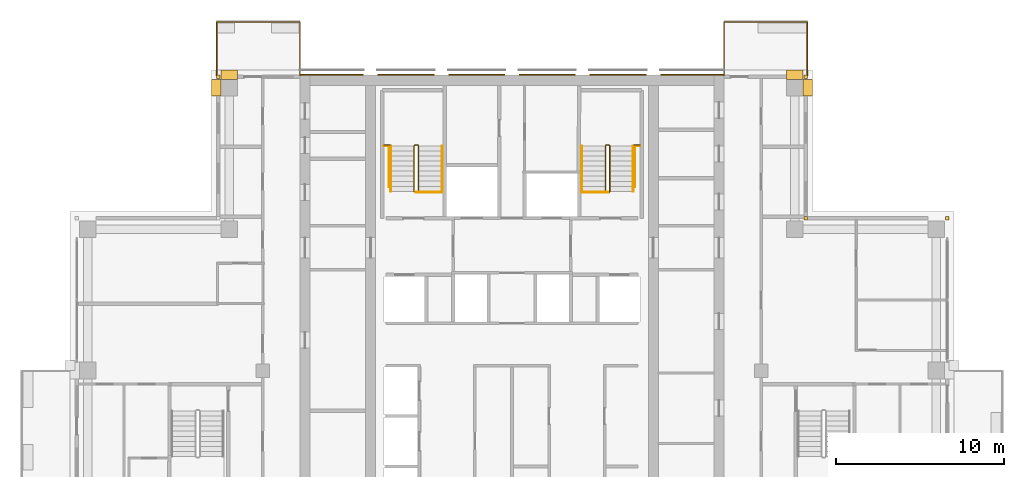
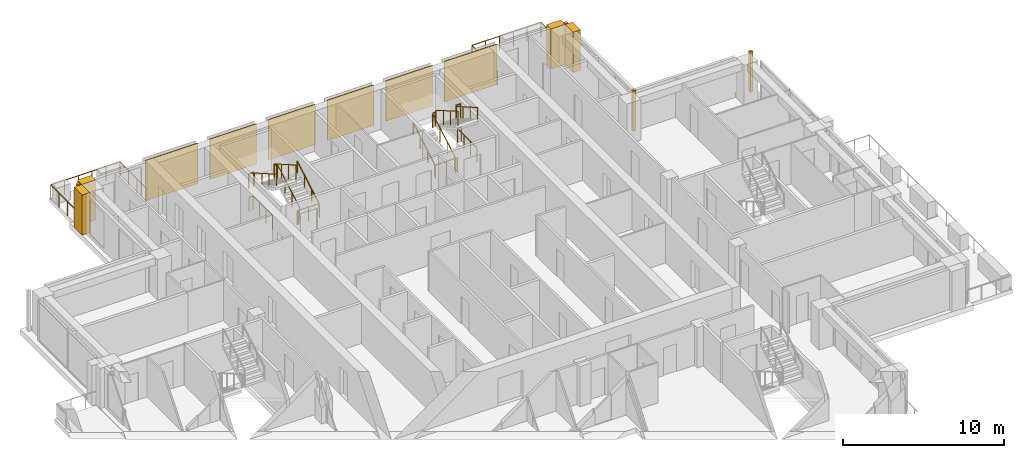
# One storey, part 17 of 17: 14 coverings, 14 railings.
"""IFC4 building model written with IfcOpenShell, lengths in metres."""

from ifc_helpers import new_model, si_unit, direction, frame, origin, origin_2d, place, context, subcontext, project, spatial, polyline, rectangle, outline, extrude, material, type_object, element, save


model = new_model("IFC4")

# Units and contexts
model_context = context("Model", 3, precision=1e-05, world=origin(), true_north=direction((0.0, 1.0)))
body_context = subcontext(model_context, "Body", "Model", "MODEL_VIEW")
ifc_project = project(units=[si_unit("LENGTHUNIT", "METRE"), si_unit("AREAUNIT", "SQUARE_METRE"), si_unit("VOLUMEUNIT", "CUBIC_METRE"), si_unit("PLANEANGLEUNIT", "RADIAN"), si_unit("MASSUNIT", "GRAM", prefix="KILO")], contexts=[model_context])

# Site, building, storey
site_placement = place(None, origin())
site = spatial("IfcSite", under=ifc_project, at=site_placement, CompositionType="ELEMENT")
building_placement = place(site_placement, origin())
building = spatial("IfcBuilding", under=site, at=building_placement, Name="Vermilion Ogive Tower", CompositionType="ELEMENT")
storey_placement = place(building_placement, frame((0.0, 0.0, 203.14990234375)))
storey = spatial("IfcBuildingStorey", under=building, at=storey_placement, Name="L53", CompositionType="ELEMENT", Elevation=203.14990234375)

# Railings
ifc_material_1 = material(Name="Stainless steel and glass", Category="steel")
railing_type_1 = type_object("IfcRailingType", Name="Balcony guard", PredefinedType="GUARDRAIL", material=ifc_material_1)
railing_1_placement = place(storey_placement, frame((17.550048828125, 21.75, -0.039794921875)))
element("IfcRailing", 1, at=railing_1_placement, inside=storey, type_object=railing_type_1, Name="Guard N101", PredefinedType="GUARDRAIL", context=body_context, shape_type="SweptSolid", body=[
    extrude(rectangle(XDim=0.048095703125, YDim=0.048095703125, at=origin_2d()), frame((0.0, 0.0, 1.076171875), z_axis=(0.0, 1.0, 0.0), x_axis=(-1.0, 0.0, 0.0)), (0.0, 0.0, 1.0), 3.159912109375),
    extrude(rectangle(XDim=0.048095703125, YDim=0.048095703125, at=origin_2d()), frame((0.0, 3.159912109375, 1.076171875), z_axis=(-1.0, 0.0, 0.0), x_axis=(0.0, -1.0, 0.0)), (0.0, 0.0, 1.0), 4.949951171875),
    extrude(rectangle(XDim=0.048095703125, YDim=0.048095703125, at=origin_2d()), frame((-4.949951171875, 3.159912109375, 1.076171875), z_axis=(0.0, -1.0, 0.0), x_axis=(1.0, 0.0, 0.0)), (0.0, 0.0, 1.0), 3.159912109375),
    extrude(rectangle(XDim=0.0419921875, YDim=0.0419921875, at=origin_2d()), origin(), (0.0, 0.0, 1.0), 1.052001953125),
    extrude(rectangle(XDim=0.0419921875, YDim=0.0419921875, at=origin_2d()), frame((0.0, 1.05322265625, 0.0)), (0.0, 0.0, 1.0), 1.052001953125),
    extrude(rectangle(XDim=0.0419921875, YDim=0.0419921875, at=origin_2d()), frame((0.0, 2.106689453125, 0.0)), (0.0, 0.0, 1.0), 1.052001953125),
    extrude(rectangle(XDim=0.0419921875, YDim=0.0419921875, at=origin_2d()), frame((0.0, 3.159912109375, 0.0)), (0.0, 0.0, 1.0), 1.052001953125),
    extrude(rectangle(XDim=0.0419921875, YDim=0.0419921875, at=origin_2d()), frame((-0.989990234375, 3.159912109375, 0.0)), (0.0, 0.0, 1.0), 1.052001953125),
    extrude(rectangle(XDim=0.0419921875, YDim=0.0419921875, at=origin_2d()), frame((-1.97998046875, 3.159912109375, 0.0)), (0.0, 0.0, 1.0), 1.052001953125),
    extrude(rectangle(XDim=0.0419921875, YDim=0.0419921875, at=origin_2d()), frame((-2.969970703125, 3.159912109375, 0.0)), (0.0, 0.0, 1.0), 1.052001953125),
    extrude(rectangle(XDim=0.0419921875, YDim=0.0419921875, at=origin_2d()), frame((-3.9599609375, 3.159912109375, 0.0)), (0.0, 0.0, 1.0), 1.052001953125),
    extrude(rectangle(XDim=0.0419921875, YDim=0.0419921875, at=origin_2d()), frame((-4.949951171875, 3.159912109375, 0.0)), (0.0, 0.0, 1.0), 1.052001953125),
    extrude(rectangle(XDim=0.0419921875, YDim=0.0419921875, at=origin_2d()), frame((-4.949951171875, 2.106689453125, 0.0)), (0.0, 0.0, 1.0), 1.052001953125),
    extrude(rectangle(XDim=0.0419921875, YDim=0.0419921875, at=origin_2d()), frame((-4.949951171875, 1.05322265625, 0.0)), (0.0, 0.0, 1.0), 1.052001953125),
    extrude(rectangle(XDim=0.0419921875, YDim=0.0419921875, at=origin_2d()), frame((-4.949951171875, 0.0, 0.0)), (0.0, 0.0, 1.0), 1.052001953125),
])
railing_2_placement = place(storey_placement, frame((-12.60009765625, 21.75, -0.039794921875)))
element("IfcRailing", 2, at=railing_2_placement, inside=storey, type_object=railing_type_1, Name="Guard N201", PredefinedType="GUARDRAIL", context=body_context, shape_type="SweptSolid", body=[
    extrude(rectangle(XDim=0.048095703125, YDim=0.048095703125, at=origin_2d()), frame((0.0, 0.0, 1.076171875), z_axis=(0.0, 1.0, 0.0), x_axis=(-1.0, 0.0, 0.0)), (0.0, 0.0, 1.0), 3.159912109375),
    extrude(rectangle(XDim=0.048095703125, YDim=0.048095703125, at=origin_2d()), frame((0.0, 3.159912109375, 1.076171875), z_axis=(-1.0, 0.0, 0.0), x_axis=(0.0, -1.0, 0.0)), (0.0, 0.0, 1.0), 4.949951171875),
    extrude(rectangle(XDim=0.048095703125, YDim=0.048095703125, at=origin_2d()), frame((-4.949951171875, 3.159912109375, 1.076171875), z_axis=(0.0, -1.0, 0.0), x_axis=(1.0, 0.0, 0.0)), (0.0, 0.0, 1.0), 3.159912109375),
    extrude(rectangle(XDim=0.0419921875, YDim=0.0419921875, at=origin_2d()), origin(), (0.0, 0.0, 1.0), 1.052001953125),
    extrude(rectangle(XDim=0.0419921875, YDim=0.0419921875, at=origin_2d()), frame((0.0, 1.05322265625, 0.0)), (0.0, 0.0, 1.0), 1.052001953125),
    extrude(rectangle(XDim=0.0419921875, YDim=0.0419921875, at=origin_2d()), frame((0.0, 2.106689453125, 0.0)), (0.0, 0.0, 1.0), 1.052001953125),
    extrude(rectangle(XDim=0.0419921875, YDim=0.0419921875, at=origin_2d()), frame((0.0, 3.159912109375, 0.0)), (0.0, 0.0, 1.0), 1.052001953125),
    extrude(rectangle(XDim=0.0419921875, YDim=0.0419921875, at=origin_2d()), frame((-0.989990234375, 3.159912109375, 0.0)), (0.0, 0.0, 1.0), 1.052001953125),
    extrude(rectangle(XDim=0.0419921875, YDim=0.0419921875, at=origin_2d()), frame((-1.97998046875, 3.159912109375, 0.0)), (0.0, 0.0, 1.0), 1.052001953125),
    extrude(rectangle(XDim=0.0419921875, YDim=0.0419921875, at=origin_2d()), frame((-2.969970703125, 3.159912109375, 0.0)), (0.0, 0.0, 1.0), 1.052001953125),
    extrude(rectangle(XDim=0.0419921875, YDim=0.0419921875, at=origin_2d()), frame((-3.9599609375, 3.159912109375, 0.0)), (0.0, 0.0, 1.0), 1.052001953125),
    extrude(rectangle(XDim=0.0419921875, YDim=0.0419921875, at=origin_2d()), frame((-4.949951171875, 3.159912109375, 0.0)), (0.0, 0.0, 1.0), 1.052001953125),
    extrude(rectangle(XDim=0.0419921875, YDim=0.0419921875, at=origin_2d()), frame((-4.949951171875, 2.106689453125, 0.0)), (0.0, 0.0, 1.0), 1.052001953125),
    extrude(rectangle(XDim=0.0419921875, YDim=0.0419921875, at=origin_2d()), frame((-4.949951171875, 1.05322265625, 0.0)), (0.0, 0.0, 1.0), 1.052001953125),
    extrude(rectangle(XDim=0.0419921875, YDim=0.0419921875, at=origin_2d()), frame((-4.949951171875, 0.0, 0.0)), (0.0, 0.0, 1.0), 1.052001953125),
])
ifc_material_2 = material(Name="Steel S355 painted", Category="steel")
railing_type_2 = type_object("IfcRailingType", Name="Stair guard 1100", PredefinedType="GUARDRAIL", material=ifc_material_2)
railing_3_placement = place(storey_placement, frame((-5.75, 14.800048828125, 0.0)))
element("IfcRailing", 3, at=railing_3_placement, inside=storey, type_object=railing_type_2, Name="L53 ST1 stair guard 4", PredefinedType="GUARDRAIL", context=body_context, shape_type="SweptSolid", body=[
    extrude(rectangle(XDim=0.048095703125, YDim=0.048095703125, at=origin_2d()), frame((0.0, 0.0, 1.076171875), z_axis=(1.0, 0.0, 0.0), x_axis=(0.0, 1.0, 0.0)), (0.0, 0.0, 1.0), 0.14990234375),
    extrude(rectangle(XDim=0.048095703125, YDim=0.048095703125, at=origin_2d()), frame((0.14990234375, 0.0, 1.076171875), z_axis=(0.268277960024, 0.268277960024, 0.925231793839), x_axis=(-0.707106781187, 0.707106781187, 0.0)), (0.0, 0.0, 1.0), 0.1865234375),
    extrude(rectangle(XDim=0.048095703125, YDim=0.048095703125, at=origin_2d()), frame((0.199951171875, 0.050048828125, 1.24853515625), z_axis=(0.0, 0.866903762492, 0.498475542607), x_axis=(-1.0, 0.0, 0.0)), (0.0, 0.0, 1.0), 3.114501953125),
    extrude(rectangle(XDim=0.048095703125, YDim=0.048095703125, at=origin_2d()), frame((0.199951171875, 2.75, 2.80126953125), z_axis=(-0.707106781187, 0.707106781187, 0.0), x_axis=(-0.707106781187, -0.707106781187, 0.0)), (0.0, 0.0, 1.0), 0.07080078125),
    extrude(rectangle(XDim=0.048095703125, YDim=0.048095703125, at=origin_2d()), frame((0.14990234375, 2.800048828125, 2.80126953125), z_axis=(-1.0, 0.0, 0.0), x_axis=(0.0, -1.0, 0.0)), (0.0, 0.0, 1.0), 0.14990234375),
    extrude(rectangle(XDim=0.048095703125, YDim=0.048095703125, at=origin_2d()), frame((0.0, 2.800048828125, 2.80126953125), z_axis=(-0.268277960024, -0.268277960024, 0.925231793839), x_axis=(0.707106781187, -0.707106781187, 0.0)), (0.0, 0.0, 1.0), 0.1865234375),
    extrude(rectangle(XDim=0.048095703125, YDim=0.048095703125, at=origin_2d()), frame((-0.050048828125, 2.75, 2.9736328125), z_axis=(0.0, -0.866903762492, 0.498475542607), x_axis=(1.0, 0.0, 0.0)), (0.0, 0.0, 1.0), 3.114501953125),
    extrude(rectangle(XDim=0.0419921875, YDim=0.0419921875, at=origin_2d()), origin(), (0.0, 0.0, 1.0), 1.052001953125),
    extrude(rectangle(XDim=0.0419921875, YDim=0.0419921875, at=origin_2d()), frame((0.14990234375, 0.0, 0.0)), (0.0, 0.0, 1.0), 1.052001953125),
    extrude(rectangle(XDim=0.0419921875, YDim=0.0419921875, at=origin_2d()), frame((0.199951171875, 0.050048828125, 0.172607421875)), (0.0, 0.0, 1.0), 1.052001953125),
    extrude(rectangle(XDim=0.0419921875, YDim=0.0419921875, at=origin_2d()), frame((0.199951171875, 0.949951171875, 0.690185546875)), (0.0, 0.0, 1.0), 1.052001953125),
    extrude(rectangle(XDim=0.0419921875, YDim=0.0419921875, at=origin_2d()), frame((0.199951171875, 1.85009765625, 1.20751953125)), (0.0, 0.0, 1.0), 1.052001953125),
    extrude(rectangle(XDim=0.0419921875, YDim=0.0419921875, at=origin_2d()), frame((0.199951171875, 2.75, 1.72509765625)), (0.0, 0.0, 1.0), 1.052001953125),
    extrude(rectangle(XDim=0.0419921875, YDim=0.0419921875, at=origin_2d()), frame((0.14990234375, 2.800048828125, 1.72509765625)), (0.0, 0.0, 1.0), 1.052001953125),
    extrude(rectangle(XDim=0.0419921875, YDim=0.0419921875, at=origin_2d()), frame((0.0, 2.800048828125, 1.72509765625)), (0.0, 0.0, 1.0), 1.052001953125),
    extrude(rectangle(XDim=0.0419921875, YDim=0.0419921875, at=origin_2d()), frame((-0.050048828125, 2.75, 1.897705078125)), (0.0, 0.0, 1.0), 1.052001953125),
    extrude(rectangle(XDim=0.0419921875, YDim=0.0419921875, at=origin_2d()), frame((-0.050048828125, 1.85009765625, 2.415283203125)), (0.0, 0.0, 1.0), 1.052001953125),
    extrude(rectangle(XDim=0.0419921875, YDim=0.0419921875, at=origin_2d()), frame((-0.050048828125, 0.949951171875, 2.9326171875)), (0.0, 0.0, 1.0), 1.052001953125),
    extrude(rectangle(XDim=0.0419921875, YDim=0.0419921875, at=origin_2d()), frame((-0.050048828125, 0.050048828125, 3.4501953125)), (0.0, 0.0, 1.0), 1.052001953125),
])
railing_4_placement = place(storey_placement, frame((5.75, 14.800048828125, 0.0)))
element("IfcRailing", 4, at=railing_4_placement, inside=storey, type_object=railing_type_2, Name="L53 ST2 stair guard 4", PredefinedType="GUARDRAIL", context=body_context, shape_type="SweptSolid", body=[
    extrude(rectangle(XDim=0.048095703125, YDim=0.048095703125, at=origin_2d()), frame((0.0, 0.0, 1.076171875), z_axis=(-1.0, 0.0, 0.0), x_axis=(0.0, -1.0, 0.0)), (0.0, 0.0, 1.0), 0.14990234375),
    extrude(rectangle(XDim=0.048095703125, YDim=0.048095703125, at=origin_2d()), frame((-0.14990234375, 0.0, 1.076171875), z_axis=(-0.268277960024, 0.268277960024, 0.925231793839), x_axis=(-0.707106781187, -0.707106781187, 0.0)), (0.0, 0.0, 1.0), 0.1865234375),
    extrude(rectangle(XDim=0.048095703125, YDim=0.048095703125, at=origin_2d()), frame((-0.199951171875, 0.050048828125, 1.24853515625), z_axis=(0.0, 0.866903762492, 0.498475542607), x_axis=(-1.0, 0.0, 0.0)), (0.0, 0.0, 1.0), 3.114501953125),
    extrude(rectangle(XDim=0.048095703125, YDim=0.048095703125, at=origin_2d()), frame((-0.199951171875, 2.75, 2.80126953125), z_axis=(0.707106781187, 0.707106781187, 0.0), x_axis=(-0.707106781187, 0.707106781187, 0.0)), (0.0, 0.0, 1.0), 0.07080078125),
    extrude(rectangle(XDim=0.048095703125, YDim=0.048095703125, at=origin_2d()), frame((-0.14990234375, 2.800048828125, 2.80126953125), z_axis=(1.0, 0.0, 0.0), x_axis=(0.0, 1.0, 0.0)), (0.0, 0.0, 1.0), 0.14990234375),
    extrude(rectangle(XDim=0.048095703125, YDim=0.048095703125, at=origin_2d()), frame((0.0, 2.800048828125, 2.80126953125), z_axis=(0.268277960024, -0.268277960024, 0.925231793839), x_axis=(0.707106781187, 0.707106781187, 0.0)), (0.0, 0.0, 1.0), 0.1865234375),
    extrude(rectangle(XDim=0.048095703125, YDim=0.048095703125, at=origin_2d()), frame((0.050048828125, 2.75, 2.9736328125), z_axis=(0.0, -0.866903762492, 0.498475542607), x_axis=(1.0, 0.0, 0.0)), (0.0, 0.0, 1.0), 3.114501953125),
    extrude(rectangle(XDim=0.0419921875, YDim=0.0419921875, at=origin_2d()), origin(), (0.0, 0.0, 1.0), 1.052001953125),
    extrude(rectangle(XDim=0.0419921875, YDim=0.0419921875, at=origin_2d()), frame((-0.14990234375, 0.0, 0.0)), (0.0, 0.0, 1.0), 1.052001953125),
    extrude(rectangle(XDim=0.0419921875, YDim=0.0419921875, at=origin_2d()), frame((-0.199951171875, 0.050048828125, 0.172607421875)), (0.0, 0.0, 1.0), 1.052001953125),
    extrude(rectangle(XDim=0.0419921875, YDim=0.0419921875, at=origin_2d()), frame((-0.199951171875, 0.949951171875, 0.690185546875)), (0.0, 0.0, 1.0), 1.052001953125),
    extrude(rectangle(XDim=0.0419921875, YDim=0.0419921875, at=origin_2d()), frame((-0.199951171875, 1.85009765625, 1.20751953125)), (0.0, 0.0, 1.0), 1.052001953125),
    extrude(rectangle(XDim=0.0419921875, YDim=0.0419921875, at=origin_2d()), frame((-0.199951171875, 2.75, 1.72509765625)), (0.0, 0.0, 1.0), 1.052001953125),
    extrude(rectangle(XDim=0.0419921875, YDim=0.0419921875, at=origin_2d()), frame((-0.14990234375, 2.800048828125, 1.72509765625)), (0.0, 0.0, 1.0), 1.052001953125),
    extrude(rectangle(XDim=0.0419921875, YDim=0.0419921875, at=origin_2d()), frame((0.0, 2.800048828125, 1.72509765625)), (0.0, 0.0, 1.0), 1.052001953125),
    extrude(rectangle(XDim=0.0419921875, YDim=0.0419921875, at=origin_2d()), frame((0.050048828125, 2.75, 1.897705078125)), (0.0, 0.0, 1.0), 1.052001953125),
    extrude(rectangle(XDim=0.0419921875, YDim=0.0419921875, at=origin_2d()), frame((0.050048828125, 1.85009765625, 2.415283203125)), (0.0, 0.0, 1.0), 1.052001953125),
    extrude(rectangle(XDim=0.0419921875, YDim=0.0419921875, at=origin_2d()), frame((0.050048828125, 0.949951171875, 2.9326171875)), (0.0, 0.0, 1.0), 1.052001953125),
    extrude(rectangle(XDim=0.0419921875, YDim=0.0419921875, at=origin_2d()), frame((0.050048828125, 0.050048828125, 3.4501953125)), (0.0, 0.0, 1.0), 1.052001953125),
])
for number, where, name in (
    (5, (-7.60009765625, 17.60009765625, 1.72509765625), "L53 landing guard"),
    (6, (7.25, 17.60009765625, 1.72509765625), "L53 landing guard"),
):
    element("IfcRailing", number, at=place(storey_placement, frame(where)), inside=storey, type_object=railing_type_2, Name=name, PredefinedType="GUARDRAIL", context=body_context, shape_type="SweptSolid", body=[
        extrude(rectangle(XDim=0.048095703125, YDim=0.048095703125, at=origin_2d()), frame((0.0, 0.0, 1.076171875), z_axis=(1.0, 0.0, 0.0), x_axis=(0.0, 1.0, 0.0)), (0.0, 0.0, 1.0), 0.35009765625),
        extrude(rectangle(XDim=0.0419921875, YDim=0.0419921875, at=origin_2d()), origin(), (0.0, 0.0, 1.0), 1.052001953125),
        extrude(rectangle(XDim=0.0419921875, YDim=0.0419921875, at=origin_2d()), frame((0.35009765625, 0.0, 0.0)), (0.0, 0.0, 1.0), 1.052001953125),
    ])
railing_5_placement = place(storey_placement, frame((-4.159912109375, 14.7900390625, 0.0)))
element("IfcRailing", 7, at=railing_5_placement, inside=storey, type_object=railing_type_2, Name="L53 stair opening guard", PredefinedType="GUARDRAIL", context=body_context, shape_type="SweptSolid", body=[
    extrude(rectangle(XDim=0.048095703125, YDim=0.048095703125, at=origin_2d()), frame((0.0, 0.0, 1.076171875), z_axis=(-1.0, 0.0, 0.0), x_axis=(0.0, -1.0, 0.0)), (0.0, 0.0, 1.0), 1.5400390625),
    extrude(rectangle(XDim=0.0419921875, YDim=0.0419921875, at=origin_2d()), origin(), (0.0, 0.0, 1.0), 1.052001953125),
    extrude(rectangle(XDim=0.0419921875, YDim=0.0419921875, at=origin_2d()), frame((-0.77001953125, 0.0, 0.0)), (0.0, 0.0, 1.0), 1.052001953125),
    extrude(rectangle(XDim=0.0419921875, YDim=0.0419921875, at=origin_2d()), frame((-1.5400390625, 0.0, 0.0)), (0.0, 0.0, 1.0), 1.052001953125),
])
railing_6_placement = place(storey_placement, frame((-7.3095703125, 15.11865234375, 0.0)))
element("IfcRailing", 8, at=railing_6_placement, inside=storey, type_object=railing_type_2, Name="L53 stair opening guard", PredefinedType="GUARDRAIL", context=body_context, shape_type="SweptSolid", body=[
    extrude(rectangle(XDim=0.048095703125, YDim=0.048095703125, at=origin_2d()), frame((0.0, 0.0, 1.076171875), z_axis=(0.0, 1.0, 0.0), x_axis=(-1.0, 0.0, 0.0)), (0.0, 0.0, 1.0), 2.42431640625),
    extrude(rectangle(XDim=0.048095703125, YDim=0.048095703125, at=origin_2d()), frame((0.0, 2.42431640625, 1.076171875), z_axis=(-1.0, 0.0, 0.0), x_axis=(0.0, -1.0, 0.0)), (0.0, 0.0, 1.0), 0.2900390625),
    extrude(rectangle(XDim=0.0419921875, YDim=0.0419921875, at=origin_2d()), origin(), (0.0, 0.0, 1.0), 1.052001953125),
    extrude(rectangle(XDim=0.0419921875, YDim=0.0419921875, at=origin_2d()), frame((0.0, 0.80810546875, 0.0)), (0.0, 0.0, 1.0), 1.052001953125),
    extrude(rectangle(XDim=0.0419921875, YDim=0.0419921875, at=origin_2d()), frame((0.0, 1.6162109375, 0.0)), (0.0, 0.0, 1.0), 1.052001953125),
    extrude(rectangle(XDim=0.0419921875, YDim=0.0419921875, at=origin_2d()), frame((0.0, 2.42431640625, 0.0)), (0.0, 0.0, 1.0), 1.052001953125),
    extrude(rectangle(XDim=0.0419921875, YDim=0.0419921875, at=origin_2d()), frame((-0.2900390625, 2.42431640625, 0.0)), (0.0, 0.0, 1.0), 1.052001953125),
])
railing_7_placement = place(storey_placement, frame((7.599609375, 17.54296875, 0.0)))
element("IfcRailing", 9, at=railing_7_placement, inside=storey, type_object=railing_type_2, Name="L53 stair opening guard", PredefinedType="GUARDRAIL", context=body_context, shape_type="SweptSolid", body=[
    extrude(rectangle(XDim=0.048095703125, YDim=0.048095703125, at=origin_2d()), frame((0.0, 0.0, 1.076171875), z_axis=(-1.0, 0.0, 0.0), x_axis=(0.0, -1.0, 0.0)), (0.0, 0.0, 1.0), 0.2900390625),
    extrude(rectangle(XDim=0.048095703125, YDim=0.048095703125, at=origin_2d()), frame((-0.2900390625, 0.0, 1.076171875), z_axis=(0.0, -1.0, 0.0), x_axis=(1.0, 0.0, 0.0)), (0.0, 0.0, 1.0), 2.42431640625),
    extrude(rectangle(XDim=0.0419921875, YDim=0.0419921875, at=origin_2d()), origin(), (0.0, 0.0, 1.0), 1.052001953125),
    extrude(rectangle(XDim=0.0419921875, YDim=0.0419921875, at=origin_2d()), frame((-0.2900390625, 0.0, 0.0)), (0.0, 0.0, 1.0), 1.052001953125),
    extrude(rectangle(XDim=0.0419921875, YDim=0.0419921875, at=origin_2d()), frame((-0.2900390625, -0.80810546875, 0.0)), (0.0, 0.0, 1.0), 1.052001953125),
    extrude(rectangle(XDim=0.0419921875, YDim=0.0419921875, at=origin_2d()), frame((-0.2900390625, -1.6162109375, 0.0)), (0.0, 0.0, 1.0), 1.052001953125),
    extrude(rectangle(XDim=0.0419921875, YDim=0.0419921875, at=origin_2d()), frame((-0.2900390625, -2.42431640625, 0.0)), (0.0, 0.0, 1.0), 1.052001953125),
])
railing_8_placement = place(storey_placement, frame((5.699951171875, 14.7900390625, 0.0)))
element("IfcRailing", 10, at=railing_8_placement, inside=storey, type_object=railing_type_2, Name="L53 stair opening guard", PredefinedType="GUARDRAIL", context=body_context, shape_type="SweptSolid", body=[
    extrude(rectangle(XDim=0.048095703125, YDim=0.048095703125, at=origin_2d()), frame((0.0, 0.0, 1.076171875), z_axis=(-1.0, 0.0, 0.0), x_axis=(0.0, -1.0, 0.0)), (0.0, 0.0, 1.0), 1.5400390625),
    extrude(rectangle(XDim=0.0419921875, YDim=0.0419921875, at=origin_2d()), origin(), (0.0, 0.0, 1.0), 1.052001953125),
    extrude(rectangle(XDim=0.0419921875, YDim=0.0419921875, at=origin_2d()), frame((-0.77001953125, 0.0, 0.0)), (0.0, 0.0, 1.0), 1.052001953125),
    extrude(rectangle(XDim=0.0419921875, YDim=0.0419921875, at=origin_2d()), frame((-1.5400390625, 0.0, 0.0)), (0.0, 0.0, 1.0), 1.052001953125),
])
ifc_material_3 = material(Name="Stainless steel", Category="steel")
railing_type_3 = type_object("IfcRailingType", Name="Stair handrail 900", PredefinedType="HANDRAIL", material=ifc_material_3)
railing_9_placement = place(storey_placement, frame((-4.14990234375, 14.85009765625, 0.172607421875)))
element("IfcRailing", 11, at=railing_9_placement, inside=storey, type_object=railing_type_3, Name="L53 ST1 stair handrail 1", PredefinedType="HANDRAIL", context=body_context, shape_type="SweptSolid", body=[
    extrude(rectangle(XDim=0.048095703125, YDim=0.048095703125, at=origin_2d()), frame((0.0, 0.0, 0.8759765625), z_axis=(0.0, 0.866903762492, 0.498475542607), x_axis=(-1.0, 0.0, 0.0)), (0.0, 0.0, 1.0), 3.114501953125),
    extrude(rectangle(XDim=0.0419921875, YDim=0.0419921875, at=origin_2d()), origin(), (0.0, 0.0, 1.0), 0.851806640625),
    extrude(rectangle(XDim=0.0419921875, YDim=0.0419921875, at=origin_2d()), frame((0.0, 0.89990234375, 0.517578125)), (0.0, 0.0, 1.0), 0.851806640625),
    extrude(rectangle(XDim=0.0419921875, YDim=0.0419921875, at=origin_2d()), frame((0.0, 1.800048828125, 1.034912109375)), (0.0, 0.0, 1.0), 0.851806640625),
    extrude(rectangle(XDim=0.0419921875, YDim=0.0419921875, at=origin_2d()), frame((0.0, 2.699951171875, 1.552490234375)), (0.0, 0.0, 1.0), 0.851806640625),
])
railing_10_placement = place(storey_placement, frame((-7.199951171875, 17.550048828125, 1.897705078125)))
element("IfcRailing", 12, at=railing_10_placement, inside=storey, type_object=railing_type_3, Name="L53 ST1 stair handrail 2", PredefinedType="HANDRAIL", context=body_context, shape_type="SweptSolid", body=[
    extrude(rectangle(XDim=0.048095703125, YDim=0.048095703125, at=origin_2d()), frame((0.0, 0.0, 0.8759765625), z_axis=(0.0, -0.866903762492, 0.498475542607), x_axis=(1.0, 0.0, 0.0)), (0.0, 0.0, 1.0), 3.114501953125),
    extrude(rectangle(XDim=0.0419921875, YDim=0.0419921875, at=origin_2d()), origin(), (0.0, 0.0, 1.0), 0.851806640625),
    extrude(rectangle(XDim=0.0419921875, YDim=0.0419921875, at=origin_2d()), frame((0.0, -0.89990234375, 0.517578125)), (0.0, 0.0, 1.0), 0.851806640625),
    extrude(rectangle(XDim=0.0419921875, YDim=0.0419921875, at=origin_2d()), frame((0.0, -1.800048828125, 1.034912109375)), (0.0, 0.0, 1.0), 0.851806640625),
    extrude(rectangle(XDim=0.0419921875, YDim=0.0419921875, at=origin_2d()), frame((0.0, -2.699951171875, 1.552490234375)), (0.0, 0.0, 1.0), 0.851806640625),
])
railing_11_placement = place(storey_placement, frame((4.14990234375, 14.85009765625, 0.172607421875)))
element("IfcRailing", 13, at=railing_11_placement, inside=storey, type_object=railing_type_3, Name="L53 ST2 stair handrail 1", PredefinedType="HANDRAIL", context=body_context, shape_type="SweptSolid", body=[
    extrude(rectangle(XDim=0.048095703125, YDim=0.048095703125, at=origin_2d()), frame((0.0, 0.0, 0.8759765625), z_axis=(0.0, 0.866903762492, 0.498475542607), x_axis=(-1.0, 0.0, 0.0)), (0.0, 0.0, 1.0), 3.114501953125),
    extrude(rectangle(XDim=0.0419921875, YDim=0.0419921875, at=origin_2d()), origin(), (0.0, 0.0, 1.0), 0.851806640625),
    extrude(rectangle(XDim=0.0419921875, YDim=0.0419921875, at=origin_2d()), frame((0.0, 0.89990234375, 0.517578125)), (0.0, 0.0, 1.0), 0.851806640625),
    extrude(rectangle(XDim=0.0419921875, YDim=0.0419921875, at=origin_2d()), frame((0.0, 1.800048828125, 1.034912109375)), (0.0, 0.0, 1.0), 0.851806640625),
    extrude(rectangle(XDim=0.0419921875, YDim=0.0419921875, at=origin_2d()), frame((0.0, 2.699951171875, 1.552490234375)), (0.0, 0.0, 1.0), 0.851806640625),
])
railing_12_placement = place(storey_placement, frame((7.199951171875, 17.550048828125, 1.897705078125)))
element("IfcRailing", 14, at=railing_12_placement, inside=storey, type_object=railing_type_3, Name="L53 ST2 stair handrail 2", PredefinedType="HANDRAIL", context=body_context, shape_type="SweptSolid", body=[
    extrude(rectangle(XDim=0.048095703125, YDim=0.048095703125, at=origin_2d()), frame((0.0, 0.0, 0.8759765625), z_axis=(0.0, -0.866903762492, 0.498475542607), x_axis=(1.0, 0.0, 0.0)), (0.0, 0.0, 1.0), 3.114501953125),
    extrude(rectangle(XDim=0.0419921875, YDim=0.0419921875, at=origin_2d()), origin(), (0.0, 0.0, 1.0), 0.851806640625),
    extrude(rectangle(XDim=0.0419921875, YDim=0.0419921875, at=origin_2d()), frame((0.0, -0.89990234375, 0.517578125)), (0.0, 0.0, 1.0), 0.851806640625),
    extrude(rectangle(XDim=0.0419921875, YDim=0.0419921875, at=origin_2d()), frame((0.0, -1.800048828125, 1.034912109375)), (0.0, 0.0, 1.0), 0.851806640625),
    extrude(rectangle(XDim=0.0419921875, YDim=0.0419921875, at=origin_2d()), frame((0.0, -2.699951171875, 1.552490234375)), (0.0, 0.0, 1.0), 0.851806640625),
])

# Coverings
ifc_material_4 = material(Name="Stone cladding", Category="masonry")
covering_type_1 = type_object("IfcCoveringType", Name="Stone cladding panel", PredefinedType="CLADDING", material=ifc_material_4)
covering_1_placement = place(storey_placement, origin())
element("IfcCovering", 15, at=covering_1_placement, inside=storey, type_object=covering_type_1, Name="Stone cladding panel N1", PredefinedType="CLADDING", context=body_context, shape_type="SweptSolid", body=[
    extrude(outline(polyline([(-12.590087890625, 21.75), (-8.830078125, 21.75), (-8.830078125, 21.81005859375), (-12.590087890625, 21.81005859375), (-12.590087890625, 21.75)])), origin(), (0.0, 0.0, 1.0), 3.050048828125),
])
covering_2_placement = place(storey_placement, origin())
element("IfcCovering", 16, at=covering_2_placement, inside=storey, type_object=covering_type_1, Name="Stone cladding panel N2", PredefinedType="CLADDING", context=body_context, shape_type="SweptSolid", body=[
    extrude(outline(polyline([(-7.969970703125, 21.75), (-4.6298828125, 21.75), (-4.6298828125, 21.81005859375), (-7.969970703125, 21.81005859375), (-7.969970703125, 21.75)])), origin(), (0.0, 0.0, 1.0), 3.050048828125),
])
covering_3_placement = place(storey_placement, origin())
element("IfcCovering", 17, at=covering_3_placement, inside=storey, type_object=covering_type_1, Name="Stone cladding panel N3", PredefinedType="CLADDING", context=body_context, shape_type="SweptSolid", body=[
    extrude(outline(polyline([(-3.77001953125, 21.75), (-0.429931640625, 21.75), (-0.429931640625, 21.81005859375), (-3.77001953125, 21.81005859375), (-3.77001953125, 21.75)])), origin(), (0.0, 0.0, 1.0), 3.050048828125),
])
covering_4_placement = place(storey_placement, origin())
element("IfcCovering", 18, at=covering_4_placement, inside=storey, type_object=covering_type_1, Name="Stone cladding panel N4", PredefinedType="CLADDING", context=body_context, shape_type="SweptSolid", body=[
    extrude(outline(polyline([(0.429931640625, 21.75), (3.77001953125, 21.75), (3.77001953125, 21.81005859375), (0.429931640625, 21.81005859375), (0.429931640625, 21.75)])), origin(), (0.0, 0.0, 1.0), 3.050048828125),
])
covering_5_placement = place(storey_placement, origin())
element("IfcCovering", 19, at=covering_5_placement, inside=storey, type_object=covering_type_1, Name="Stone cladding panel N5", PredefinedType="CLADDING", context=body_context, shape_type="SweptSolid", body=[
    extrude(outline(polyline([(4.6298828125, 21.75), (7.969970703125, 21.75), (7.969970703125, 21.81005859375), (4.6298828125, 21.81005859375), (4.6298828125, 21.75)])), origin(), (0.0, 0.0, 1.0), 3.050048828125),
])
covering_6_placement = place(storey_placement, origin())
element("IfcCovering", 20, at=covering_6_placement, inside=storey, type_object=covering_type_1, Name="Stone cladding panel N6", PredefinedType="CLADDING", context=body_context, shape_type="SweptSolid", body=[
    extrude(outline(polyline([(8.830078125, 21.75), (12.590087890625, 21.75), (12.590087890625, 21.81005859375), (8.830078125, 21.81005859375), (8.830078125, 21.75)])), origin(), (0.0, 0.0, 1.0), 3.050048828125),
])
ifc_material_5 = material(Name="Stone cladding", Category="masonry")
covering_type_2 = type_object("IfcCoveringType", Name="Stone pier", PredefinedType="CLADDING", material=ifc_material_5)
covering_7_placement = place(storey_placement, origin())
element("IfcCovering", 21, at=covering_7_placement, inside=storey, type_object=covering_type_2, Name="Stone corner pier EE1", PredefinedType="CLADDING", context=body_context, shape_type="SweptSolid", body=[
    extrude(outline(polyline([(25.75, 13.14990234375), (25.75, 13.35009765625), (25.949951171875, 13.35009765625), (25.949951171875, 13.14990234375), (25.75, 13.14990234375)])), origin(), (0.0, 0.0, 1.0), 3.050048828125),
])
covering_8_placement = place(storey_placement, origin())
element("IfcCovering", 22, at=covering_8_placement, inside=storey, type_object=covering_type_2, Name="Stone corner pier X3E1", PredefinedType="CLADDING", context=body_context, shape_type="SweptSolid", body=[
    extrude(outline(polyline([(17.35009765625, 13.14990234375), (17.35009765625, 13.35009765625), (17.550048828125, 13.35009765625), (17.550048828125, 13.14990234375), (17.35009765625, 13.14990234375)])), origin(), (0.0, 0.0, 1.0), 3.050048828125),
])
covering_9_placement = place(storey_placement, origin())
element("IfcCovering", 23, at=covering_9_placement, inside=storey, type_object=covering_type_2, Name="Stone corner pier X4E1", PredefinedType="CLADDING", context=body_context, shape_type="SweptSolid", body=[
    extrude(outline(polyline([(17.35009765625, 21.550048828125), (17.35009765625, 21.75), (17.550048828125, 21.75), (17.550048828125, 21.550048828125), (17.35009765625, 21.550048828125)])), origin(), (0.0, 0.0, 1.0), 3.050048828125),
])
covering_10_placement = place(storey_placement, origin())
element("IfcCovering", 24, at=covering_10_placement, inside=storey, type_object=covering_type_2, Name="Stone corner pier N2E1", PredefinedType="CLADDING", context=body_context, shape_type="SweptSolid", body=[
    extrude(outline(polyline([(-17.35009765625, 21.550048828125), (-17.550048828125, 21.550048828125), (-17.550048828125, 21.75), (-17.35009765625, 21.75), (-17.35009765625, 21.550048828125)])), origin(), (0.0, 0.0, 1.0), 3.050048828125),
])
covering_11_placement = place(storey_placement, origin())
element("IfcCovering", 25, at=covering_11_placement, inside=storey, type_object=covering_type_2, Name="Stone pier P+0168+210X4", PredefinedType="CLADDING", context=body_context, shape_type="SweptSolid", body=[
    extrude(outline(polyline([(17.85009765625, 21.5), (17.85009765625, 20.5), (17.300048828125, 20.5), (17.300048828125, 21.5), (17.85009765625, 21.5)])), origin(), (0.0, 0.0, 1.0), 3.050048828125),
])
covering_12_placement = place(storey_placement, origin())
element("IfcCovering", 26, at=covering_12_placement, inside=storey, type_object=covering_type_2, Name="Stone pier P+0168+210N1", PredefinedType="CLADDING", context=body_context, shape_type="SweptSolid", body=[
    extrude(outline(polyline([(17.300048828125, 22.050048828125), (17.300048828125, 21.5), (16.300048828125, 21.5), (16.300048828125, 22.050048828125), (17.300048828125, 22.050048828125)])), origin(), (0.0, 0.0, 1.0), 3.050048828125),
])
covering_13_placement = place(storey_placement, origin())
element("IfcCovering", 27, at=covering_13_placement, inside=storey, type_object=covering_type_2, Name="Stone pier P-0168+210N2", PredefinedType="CLADDING", context=body_context, shape_type="SweptSolid", body=[
    extrude(outline(polyline([(-17.300048828125, 21.5), (-17.300048828125, 22.050048828125), (-16.300048828125, 22.050048828125), (-16.300048828125, 21.5), (-17.300048828125, 21.5), (-17.300048828125, 21.5)])), origin(), (0.0, 0.0, 1.0), 3.050048828125),
])
covering_14_placement = place(storey_placement, origin())
element("IfcCovering", 28, at=covering_14_placement, inside=storey, type_object=covering_type_2, Name="Stone pier P-0168+210X5", PredefinedType="CLADDING", context=body_context, shape_type="SweptSolid", body=[
    extrude(outline(polyline([(-17.85009765625, 21.5), (-17.300048828125, 21.5), (-17.300048828125, 21.5), (-17.300048828125, 20.5), (-17.85009765625, 20.5), (-17.85009765625, 21.5)])), origin(), (0.0, 0.0, 1.0), 3.050048828125),
])

save(model, "model.ifc")
